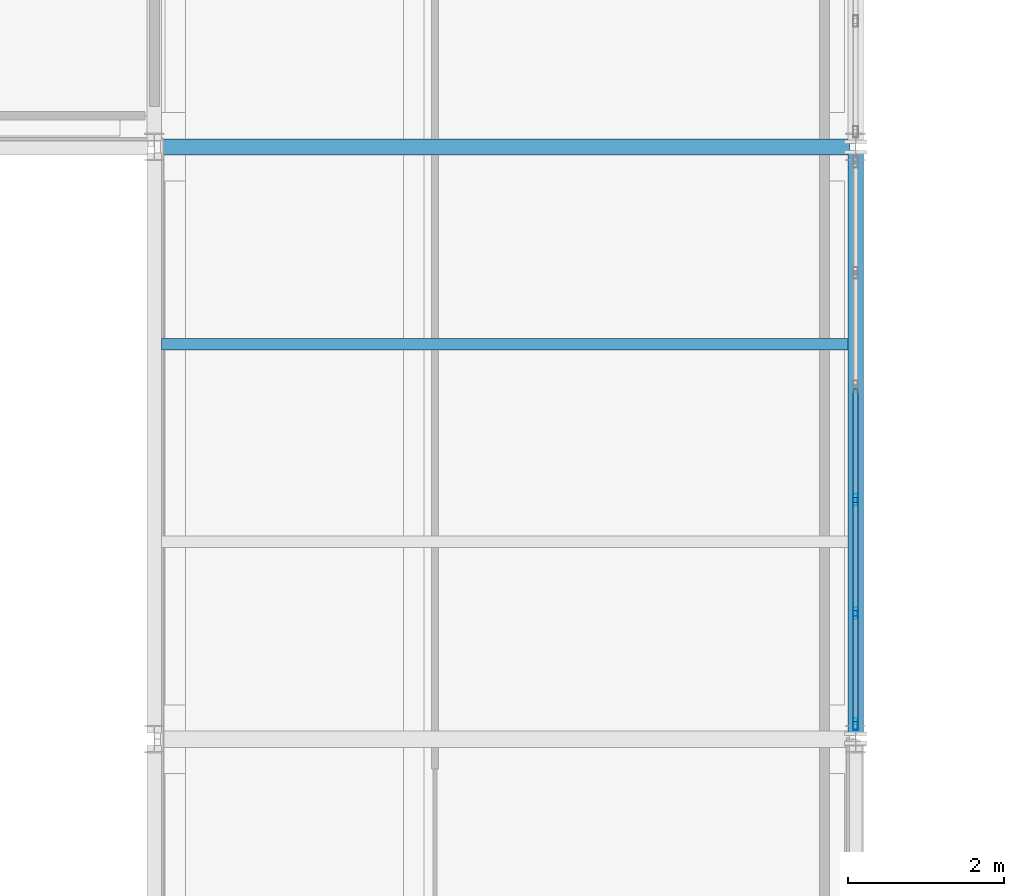
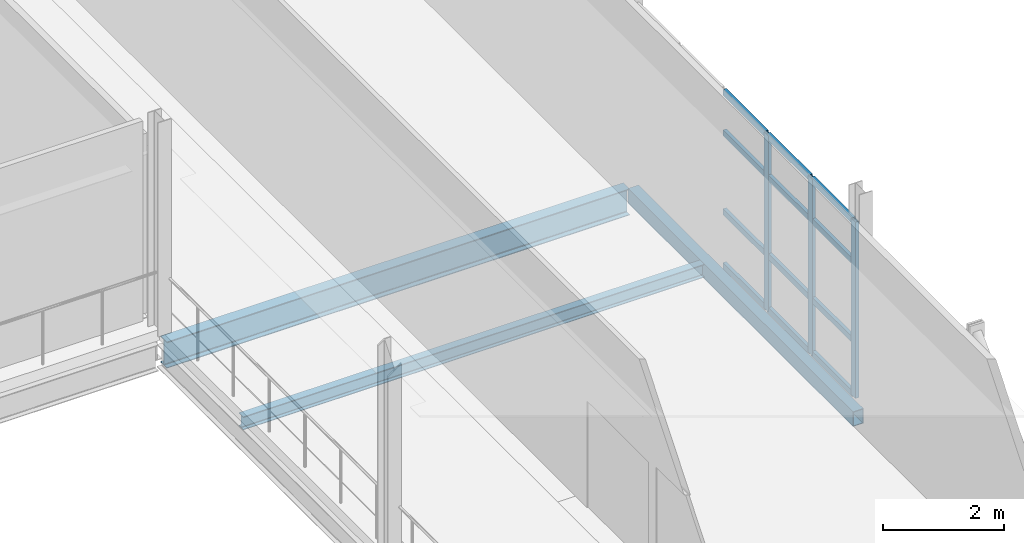
# One storey, part 122 of 174: 15 members, 3 beams, 1 element without a shape of its own.
"""IFC4 building model written with IfcOpenShell, lengths in metres."""

from ifc_helpers import new_model, si_unit, direction, frame, origin, origin_2d, place, context, subcontext, project, spatial, hollow_rectangle, i_section, extrude, material, material_profile, profile_set, type_object, element, aggregate, save


model = new_model("IFC4")

# Units and contexts
model_context = context("Model", 3, precision=1e-05, world=origin(), true_north=direction((0.0, 1.0)))
body_context = subcontext(model_context, "Body", "Model", "MODEL_VIEW")
ifc_project = project(units=[si_unit("LENGTHUNIT", "METRE"), si_unit("AREAUNIT", "SQUARE_METRE"), si_unit("VOLUMEUNIT", "CUBIC_METRE"), si_unit("PLANEANGLEUNIT", "RADIAN"), si_unit("MASSUNIT", "GRAM", prefix="KILO")], contexts=[model_context])

# Site, building, storey
site_placement = place(None, origin())
site = spatial("IfcSite", under=ifc_project, at=site_placement, CompositionType="ELEMENT")
building_placement = place(site_placement, origin())
building = spatial("IfcBuilding", under=site, at=building_placement, Name="Caisbarro Railhouse Central Library", CompositionType="ELEMENT")
storey_placement = place(building_placement, frame((0.0, 0.0, 5.0400390625)))
storey = spatial("IfcBuildingStorey", under=building, at=storey_placement, Name="L01", CompositionType="ELEMENT", Elevation=5.0400390625)

# Beams
ifc_material_1 = material(Name="Steel ASTM A572 Grade 50", Category="steel")
ifc_material_profile_1 = material_profile(ifc_material_1, i_section(OverallWidth=0.208984375, OverallDepth=0.532958984375, WebThickness=0.01025390625, FlangeThickness=0.015625, FilletRadius=0.02001953125, at=origin_2d()), Name="W530X92.0")
ifc_profile_set_1 = profile_set([ifc_material_profile_1], Name="Steel ASTM A572 Grade 50")
beam_type_1 = type_object("IfcBeamType", Name="BM-G06", PredefinedType="BEAM", material=ifc_profile_set_1)
beam_1_placement = place(storey_placement, frame((144.080078125, 91.199951171875, -0.486572265625), z_axis=(1.0, 0.0, 0.0), x_axis=(0.0, 1.0, 0.0)))
element("IfcBeam", 1, at=beam_1_placement, inside=storey, type_object=beam_type_1, Name="G06 beam L01 #918", PredefinedType="BEAM", context=body_context, shape_type="SweptSolid", body=[
    extrude(i_section(OverallWidth=0.208984375, OverallDepth=0.532958984375, WebThickness=0.01025390625, FlangeThickness=0.015625, FilletRadius=0.02001953125, at=origin_2d()), origin(), (0.0, 0.0, 1.0), 8.83984375),
])
ifc_material_profile_2 = material_profile(ifc_material_1, i_section(OverallWidth=0.14794921875, OverallDepth=0.26611328125, WebThickness=0.007568359375, FlangeThickness=0.012939453125, FilletRadius=0.010009765625, at=origin_2d()), Name="W250X44.8")
ifc_profile_set_2 = profile_set([ifc_material_profile_2], Name="Steel ASTM A572 Grade 50")
beam_type_2 = type_object("IfcBeamType", Name="BM-J04", PredefinedType="JOIST", material=ifc_profile_set_2)
beam_2_placement = place(storey_placement, frame((144.094970703125, 88.666748046875, -0.35302734375), z_axis=(1.0, 0.0, 0.0), x_axis=(0.0, 1.0, 0.0)))
element("IfcBeam", 2, at=beam_2_placement, inside=storey, type_object=beam_type_2, Name="J04 beam L01 #1001", PredefinedType="JOIST", context=body_context, shape_type="SweptSolid", body=[
    extrude(i_section(OverallWidth=0.14794921875, OverallDepth=0.26611328125, WebThickness=0.007568359375, FlangeThickness=0.012939453125, FilletRadius=0.010009765625, at=origin_2d()), origin(), (0.0, 0.0, 1.0), 8.804931640625),
])
ifc_material_profile_3 = material_profile(ifc_material_1, hollow_rectangle(XDim=0.199951171875, YDim=0.300048828125, WallThickness=0.012451171875, at=origin_2d()), Name="HSS300X200X12.5")
ifc_profile_set_3 = profile_set([ifc_material_profile_3], Name="Steel ASTM A572 Grade 50")
beam_type_3 = type_object("IfcBeamType", Name="BM-SP02", PredefinedType="SPANDREL", material=ifc_profile_set_3)
beam_3_placement = place(storey_placement, frame((153.0, 83.679931640625, -0.3701171875), z_axis=(0.0, 1.0, 0.0), x_axis=(-1.0, 0.0, 0.0)))
element("IfcBeam", 3, at=beam_3_placement, inside=storey, type_object=beam_type_3, Name="SP02 beam L01 #960", PredefinedType="SPANDREL", context=body_context, shape_type="SweptSolid", body=[
    extrude(hollow_rectangle(XDim=0.199951171875, YDim=0.300048828125, WallThickness=0.012451171875, at=origin_2d()), origin(), (0.0, 0.0, 1.0), 7.440185546875),
])

# Curtain wall, members
ifc_material_2 = material(Name="Anodised architectural aluminium", Category="aluminium")
curtain_wall_type = type_object("IfcCurtainWallType", Name="CW-CW03", PredefinedType="NOTDEFINED", material=ifc_material_2)
curtain_wall_placement = place(storey_placement, origin())
curtain_wall = element("IfcCurtainWall", 4, at=curtain_wall_placement, inside=storey, type_object=curtain_wall_type, Name="CW03 curtain wall L01 #123", PredefinedType="NOTDEFINED")
ifc_material_profile_4 = material_profile(ifc_material_2, hollow_rectangle(XDim=0.06494140625, YDim=0.14990234375, WallThickness=0.00390625, at=origin_2d()), Name="ALU-MUL-65X150")
ifc_profile_set_4 = profile_set([ifc_material_profile_4], Name="Anodised architectural aluminium")
member_type_1 = type_object("IfcMemberType", Name="CWM-M02", PredefinedType="MULLION", material=ifc_profile_set_4)
member_1_placement = place(storey_placement, frame((153.0, 83.79248046875, 0.0), z_axis=(0.0, 0.0, 1.0), x_axis=(-1.0, 0.0, 0.0)))
member_1 = element("IfcMember", 5, at=member_1_placement, type_object=member_type_1, Name="CW03 mullion 1", PredefinedType="MULLION", context=body_context, shape_type="SweptSolid", body=[
    extrude(hollow_rectangle(XDim=0.06494140625, YDim=0.14990234375, WallThickness=0.00390625, at=origin_2d()), origin(), (0.0, 0.0, 1.0), 3.56005859375),
])
member_2_placement = place(storey_placement, frame((153.0, 85.216064453125, 0.0), z_axis=(0.0, 0.0, 1.0), x_axis=(-1.0, 0.0, 0.0)))
member_2 = element("IfcMember", 6, at=member_2_placement, type_object=member_type_1, Name="CW03 mullion 2", PredefinedType="MULLION", context=body_context, shape_type="SweptSolid", body=[
    extrude(hollow_rectangle(XDim=0.06494140625, YDim=0.14990234375, WallThickness=0.00390625, at=origin_2d()), origin(), (0.0, 0.0, 1.0), 3.56005859375),
])
member_3_placement = place(storey_placement, frame((153.0, 86.672119140625, 0.0), z_axis=(0.0, 0.0, 1.0), x_axis=(-1.0, 0.0, 0.0)))
member_3 = element("IfcMember", 7, at=member_3_placement, type_object=member_type_1, Name="CW03 mullion 3", PredefinedType="MULLION", context=body_context, shape_type="SweptSolid", body=[
    extrude(hollow_rectangle(XDim=0.06494140625, YDim=0.14990234375, WallThickness=0.00390625, at=origin_2d()), origin(), (0.0, 0.0, 1.0), 3.56005859375),
])
ifc_material_profile_5 = material_profile(ifc_material_2, hollow_rectangle(XDim=0.06494140625, YDim=0.1201171875, WallThickness=0.00341796875, at=origin_2d()), Name="ALU-TRN-65X120")
ifc_profile_set_5 = profile_set([ifc_material_profile_5], Name="Anodised architectural aluminium")
member_type_2 = type_object("IfcMemberType", Name="CWT-T02", PredefinedType="USERDEFINED", material=ifc_profile_set_5)
member_4_placement = place(storey_placement, frame((153.0, 83.824951171875, 0.032470703125), z_axis=(0.0, 1.0, 0.0), x_axis=(-1.0, 0.0, 0.0)))
member_4 = element("IfcMember", 8, at=member_4_placement, type_object=member_type_2, Name="CW03 transom 1.1", ObjectType="TRANSOM", PredefinedType="USERDEFINED", context=body_context, shape_type="SweptSolid", body=[
    extrude(hollow_rectangle(XDim=0.06494140625, YDim=0.1201171875, WallThickness=0.00341796875, at=origin_2d()), origin(), (0.0, 0.0, 1.0), 1.358642578125),
])
member_5_placement = place(storey_placement, frame((153.0, 83.824951171875, 1.119873046875), z_axis=(0.0, 1.0, 0.0), x_axis=(-1.0, 0.0, 0.0)))
member_5 = element("IfcMember", 9, at=member_5_placement, type_object=member_type_2, Name="CW03 transom 1.2", ObjectType="TRANSOM", PredefinedType="USERDEFINED", context=body_context, shape_type="SweptSolid", body=[
    extrude(hollow_rectangle(XDim=0.06494140625, YDim=0.1201171875, WallThickness=0.00341796875, at=origin_2d()), origin(), (0.0, 0.0, 1.0), 1.358642578125),
])
member_6_placement = place(storey_placement, frame((153.0, 83.824951171875, 2.7099609375), z_axis=(0.0, 1.0, 0.0), x_axis=(-1.0, 0.0, 0.0)))
member_6 = element("IfcMember", 10, at=member_6_placement, type_object=member_type_2, Name="CW03 transom 1.3", ObjectType="TRANSOM", PredefinedType="USERDEFINED", context=body_context, shape_type="SweptSolid", body=[
    extrude(hollow_rectangle(XDim=0.06494140625, YDim=0.1201171875, WallThickness=0.00341796875, at=origin_2d()), origin(), (0.0, 0.0, 1.0), 1.358642578125),
])
member_7_placement = place(storey_placement, frame((153.0, 83.824951171875, 3.52734375), z_axis=(0.0, 1.0, 0.0), x_axis=(-1.0, 0.0, 0.0)))
member_7 = element("IfcMember", 11, at=member_7_placement, type_object=member_type_2, Name="CW03 transom 1.4", ObjectType="TRANSOM", PredefinedType="USERDEFINED", context=body_context, shape_type="SweptSolid", body=[
    extrude(hollow_rectangle(XDim=0.06494140625, YDim=0.1201171875, WallThickness=0.00341796875, at=origin_2d()), origin(), (0.0, 0.0, 1.0), 1.358642578125),
])
member_8_placement = place(storey_placement, frame((153.0, 85.24853515625, 0.032470703125), z_axis=(0.0, 1.0, 0.0), x_axis=(-1.0, 0.0, 0.0)))
member_8 = element("IfcMember", 12, at=member_8_placement, type_object=member_type_2, Name="CW03 transom 2.1", ObjectType="TRANSOM", PredefinedType="USERDEFINED", context=body_context, shape_type="SweptSolid", body=[
    extrude(hollow_rectangle(XDim=0.06494140625, YDim=0.1201171875, WallThickness=0.00341796875, at=origin_2d()), origin(), (0.0, 0.0, 1.0), 1.390869140625),
])
member_9_placement = place(storey_placement, frame((153.0, 85.24853515625, 1.119873046875), z_axis=(0.0, 1.0, 0.0), x_axis=(-1.0, 0.0, 0.0)))
member_9 = element("IfcMember", 13, at=member_9_placement, type_object=member_type_2, Name="CW03 transom 2.2", ObjectType="TRANSOM", PredefinedType="USERDEFINED", context=body_context, shape_type="SweptSolid", body=[
    extrude(hollow_rectangle(XDim=0.06494140625, YDim=0.1201171875, WallThickness=0.00341796875, at=origin_2d()), origin(), (0.0, 0.0, 1.0), 1.390869140625),
])
member_10_placement = place(storey_placement, frame((153.0, 85.24853515625, 2.7099609375), z_axis=(0.0, 1.0, 0.0), x_axis=(-1.0, 0.0, 0.0)))
member_10 = element("IfcMember", 14, at=member_10_placement, type_object=member_type_2, Name="CW03 transom 2.3", ObjectType="TRANSOM", PredefinedType="USERDEFINED", context=body_context, shape_type="SweptSolid", body=[
    extrude(hollow_rectangle(XDim=0.06494140625, YDim=0.1201171875, WallThickness=0.00341796875, at=origin_2d()), origin(), (0.0, 0.0, 1.0), 1.390869140625),
])
member_11_placement = place(storey_placement, frame((153.0, 85.24853515625, 3.52734375), z_axis=(0.0, 1.0, 0.0), x_axis=(-1.0, 0.0, 0.0)))
member_11 = element("IfcMember", 15, at=member_11_placement, type_object=member_type_2, Name="CW03 transom 2.4", ObjectType="TRANSOM", PredefinedType="USERDEFINED", context=body_context, shape_type="SweptSolid", body=[
    extrude(hollow_rectangle(XDim=0.06494140625, YDim=0.1201171875, WallThickness=0.00341796875, at=origin_2d()), origin(), (0.0, 0.0, 1.0), 1.390869140625),
])
member_12_placement = place(storey_placement, frame((153.0, 86.70458984375, 0.032470703125), z_axis=(0.0, 1.0, 0.0), x_axis=(-1.0, 0.0, 0.0)))
member_12 = element("IfcMember", 16, at=member_12_placement, type_object=member_type_2, Name="CW03 transom 3.1", ObjectType="TRANSOM", PredefinedType="USERDEFINED", context=body_context, shape_type="SweptSolid", body=[
    extrude(hollow_rectangle(XDim=0.06494140625, YDim=0.1201171875, WallThickness=0.00341796875, at=origin_2d()), origin(), (0.0, 0.0, 1.0), 1.390869140625),
])
member_13_placement = place(storey_placement, frame((153.0, 86.70458984375, 1.119873046875), z_axis=(0.0, 1.0, 0.0), x_axis=(-1.0, 0.0, 0.0)))
member_13 = element("IfcMember", 17, at=member_13_placement, type_object=member_type_2, Name="CW03 transom 3.2", ObjectType="TRANSOM", PredefinedType="USERDEFINED", context=body_context, shape_type="SweptSolid", body=[
    extrude(hollow_rectangle(XDim=0.06494140625, YDim=0.1201171875, WallThickness=0.00341796875, at=origin_2d()), origin(), (0.0, 0.0, 1.0), 1.390869140625),
])
member_14_placement = place(storey_placement, frame((153.0, 86.70458984375, 2.7099609375), z_axis=(0.0, 1.0, 0.0), x_axis=(-1.0, 0.0, 0.0)))
member_14 = element("IfcMember", 18, at=member_14_placement, type_object=member_type_2, Name="CW03 transom 3.3", ObjectType="TRANSOM", PredefinedType="USERDEFINED", context=body_context, shape_type="SweptSolid", body=[
    extrude(hollow_rectangle(XDim=0.06494140625, YDim=0.1201171875, WallThickness=0.00341796875, at=origin_2d()), origin(), (0.0, 0.0, 1.0), 1.390869140625),
])
member_15_placement = place(storey_placement, frame((153.0, 86.70458984375, 3.52734375), z_axis=(0.0, 1.0, 0.0), x_axis=(-1.0, 0.0, 0.0)))
member_15 = element("IfcMember", 19, at=member_15_placement, type_object=member_type_2, Name="CW03 transom 3.4", ObjectType="TRANSOM", PredefinedType="USERDEFINED", context=body_context, shape_type="SweptSolid", body=[
    extrude(hollow_rectangle(XDim=0.06494140625, YDim=0.1201171875, WallThickness=0.00341796875, at=origin_2d()), origin(), (0.0, 0.0, 1.0), 1.390869140625),
])
aggregate(curtain_wall, [member_1, member_2, member_3, member_4, member_5, member_6, member_7, member_8, member_9, member_10, member_11, member_12, member_13, member_14, member_15])

save(model, "model.ifc")
